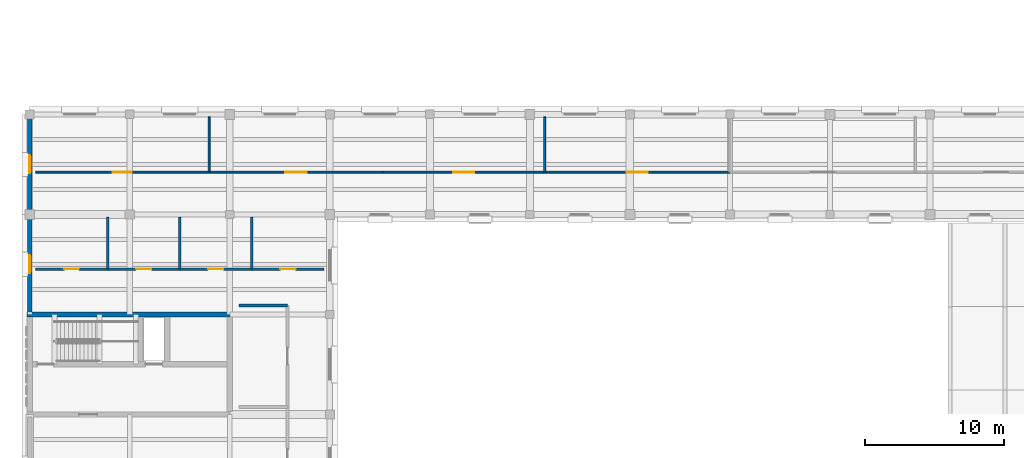
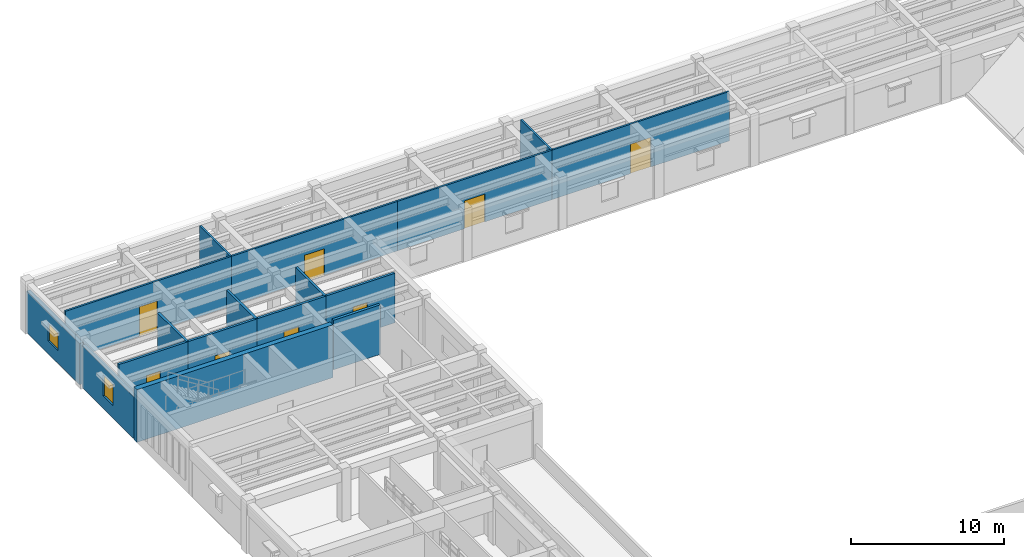
# One storey, part 22 of 40: 17 walls, 8 doors, 2 windows, 10 openings.
"""IFC4 building model written with IfcOpenShell, lengths in metres."""

import ifcopenshell
import ifcopenshell.guid

model = None  # the IFC model being written
_history = None  # IfcOwnerHistory: only IFC2X3 demands one
_inside = {}  # id of a spatial element -> (the spatial element, [elements in it])
_under = {}  # id of a project, library or spatial element -> (it, [spatial elements below it])
_declared = {}  # id of a project -> (the project, [libraries it declares])
_typed = {}  # id of a type object -> (the type object, [elements of that type])
_made_of = {}  # id of a material, layer set ... -> (it, [elements and type objects made of it])


def new_model(schema):
    """Start an empty IFC model of exactly this schema.

    Asked for "IFC4X3", IfcOpenShell would pick the latest addendum, in which some entities
    have other attributes; the version numbers below select the first issue.
    IFC2X3 requires an IfcOwnerHistory on every rooted entity: one is made here for all.
    """
    global model, _history
    if schema == "IFC4X3":
        model = ifcopenshell.file(schema_version=(4, 3, 0, 0))
    else:
        model = ifcopenshell.file(schema=schema)
    _inside.clear()
    _under.clear()
    _declared.clear()
    _typed.clear()
    _made_of.clear()
    _history = None
    if model.schema == "IFC2X3":
        org = make("IfcOrganization", Name="unknown")
        user = make(
            "IfcPersonAndOrganization",
            ThePerson=make("IfcPerson", FamilyName="unknown"),
            TheOrganization=org,
        )
        app = make(
            "IfcApplication",
            ApplicationDeveloper=org,
            Version="unknown",
            ApplicationFullName="unknown",
            ApplicationIdentifier="unknown",
        )
        _history = make(
            "IfcOwnerHistory",
            OwningUser=user,
            OwningApplication=app,
            ChangeAction="ADDED",
            CreationDate=0,
        )
    return model


def make(cls, **values):
    """One entity of the class cls with the attributes given. An attribute that is None is left unset."""
    return model.create_entity(
        cls, **{name: value for name, value in values.items() if value is not None}
    )


def rooted(cls, **values):
    """An entity with a GlobalId (a new one), such as an element, a storey or a relation."""
    return make(cls, GlobalId=ifcopenshell.guid.new(), OwnerHistory=_history, **values)


def si_unit(unit_type, name, prefix=None):
    """IfcSIUnit, for example si_unit("LENGTHUNIT", "METRE", prefix="MILLI")."""
    return make("IfcSIUnit", UnitType=unit_type, Prefix=prefix, Name=name)


def assignment(units):
    """IfcUnitAssignment: the units of a project."""
    return None if units is None else make("IfcUnitAssignment", Units=units)


def point(xyz):
    """IfcCartesianPoint."""
    return None if xyz is None else make("IfcCartesianPoint", Coordinates=xyz)


def direction(xyz):
    """IfcDirection."""
    return None if xyz is None else make("IfcDirection", DirectionRatios=xyz)


def frame(location, z_axis=None, x_axis=None):
    """IfcAxis2Placement3D, a coordinate frame: its origin and axes. An axis left out is left unset."""
    return make(
        "IfcAxis2Placement3D",
        Location=point(location),
        Axis=direction(z_axis),
        RefDirection=direction(x_axis),
    )


def frame_2d(location, x_axis=None):
    """IfcAxis2Placement2D, a coordinate frame in the plane: its origin and x axis."""
    return make(
        "IfcAxis2Placement2D", Location=point(location), RefDirection=direction(x_axis)
    )


def origin():
    """The frame at (0, 0, 0) with its axes left unset."""
    return frame((0.0, 0.0, 0.0))


def place(relative_to, where):
    """IfcLocalPlacement: puts the frame where relative to a parent placement (None: the world)."""
    return make(
        "IfcLocalPlacement", PlacementRelTo=relative_to, RelativePlacement=where
    )


def context(
    kind, dimensions, precision=None, world=None, true_north=None, identifier=None
):
    """IfcGeometricRepresentationContext, for example the 3D "Model" context."""
    return make(
        "IfcGeometricRepresentationContext",
        ContextIdentifier=identifier,
        ContextType=kind,
        CoordinateSpaceDimension=dimensions,
        Precision=precision,
        WorldCoordinateSystem=world,
        TrueNorth=true_north,
    )


def subcontext(parent, identifier, kind, view, scale=None):
    """IfcGeometricRepresentationSubContext, for example "Body" below "Model"."""
    return make(
        "IfcGeometricRepresentationSubContext",
        ContextIdentifier=identifier,
        ContextType=kind,
        ParentContext=parent,
        TargetScale=scale,
        TargetView=view,
    )


def project(units=None, contexts=None):
    """IfcProject with its units and contexts."""
    return rooted(
        "IfcProject",
        Name="project",
        RepresentationContexts=contexts,
        UnitsInContext=assignment(units),
    )


def spatial(cls, under=None, at=None, **own):
    """A site, building, storey or space (cls), placed at a placement, below another one or the project."""
    s = rooted(cls, ObjectPlacement=at, **own)
    if under is not None:
        _under.setdefault(under.id(), (under, []))[1].append(s)
    return s


def profile(cls, at=None, kind="AREA", **sizes):
    """A parametric profile (cls). Its sizes go by their IFC names, for example OverallWidth=200.0."""
    return make(cls, ProfileType=kind, Position=at, **sizes)


def rectangle(**sizes):
    """IfcRectangleProfileDef."""
    return profile("IfcRectangleProfileDef", **sizes)


def extrude(swept, where, along, depth):
    """IfcExtrudedAreaSolid: the profile swept, set in the frame where, extruded along a direction by depth."""
    return make(
        "IfcExtrudedAreaSolid",
        SweptArea=swept,
        Position=where,
        ExtrudedDirection=direction(along),
        Depth=depth,
    )


def shape(context_of_items, identifier, shape_type, items):
    """IfcShapeRepresentation: the items that make up one representation, for example the "Body"."""
    return make(
        "IfcShapeRepresentation",
        ContextOfItems=context_of_items,
        RepresentationIdentifier=identifier,
        RepresentationType=shape_type,
        Items=items,
    )


def material(Name=None, Category=None):
    """IfcMaterial."""
    return make("IfcMaterial", Name=Name, Category=Category)


def layer(
    of_material, thickness, ventilated=None, Name=None, Category=None, Priority=None
):
    """IfcMaterialLayer: one layer of a wall or slab, of a material (None: an air gap)."""
    return make(
        "IfcMaterialLayer",
        Material=of_material,
        LayerThickness=thickness,
        IsVentilated=ventilated,
        Name=Name,
        Category=Category,
        Priority=Priority,
    )


def layer_set(layers, Name=None):
    """IfcMaterialLayerSet."""
    return make("IfcMaterialLayerSet", MaterialLayers=layers, LayerSetName=Name)


def made_of(thing, what):
    """Note that an element or type object is made of a material, layer set ...; save() writes the relation."""
    if what is not None:
        _made_of.setdefault(what.id(), (what, []))[1].append(thing)
    return thing


def type_object(cls, material=None, **own):
    """A type object (cls), such as IfcWallType, which elements share."""
    return made_of(rooted(cls, **own), material)


def element(
    cls,
    number,
    at=None,
    inside=None,
    cuts=None,
    type_object=None,
    material=None,
    context=None,
    identifier="Body",
    shape_type=None,
    held_by="IfcProductDefinitionShape",
    body=None,
    shapes=None,
    **own,
):
    """One element of the class cls, such as IfcWall. Its Tag is "e" and its number.

    at: its placement. inside: the storey or other place that contains it. cuts: it is an
    opening in that element (IfcRelVoidsElement). A single representation is given by context,
    identifier, shape_type and body (its items); several are given by shapes. held_by: the class
    of the entity that holds the representations. save() writes the other relations.
    """
    e = rooted(cls, Tag="e%d" % number, ObjectPlacement=at, **own)
    if body is not None:
        shapes = [shape(context, identifier, shape_type, body)]
    if shapes is not None:
        e.Representation = make(held_by, Representations=shapes)
    if inside is not None:
        _inside.setdefault(inside.id(), (inside, []))[1].append(e)
    if cuts is not None:
        rooted(
            "IfcRelVoidsElement", RelatingBuildingElement=cuts, RelatedOpeningElement=e
        )
    if type_object is not None:
        _typed.setdefault(type_object.id(), (type_object, []))[1].append(e)
    return made_of(e, material)


def fill(opening, filler):
    """IfcRelFillsElement: the door or window that sits in an opening."""
    return rooted(
        "IfcRelFillsElement",
        RelatingOpeningElement=opening,
        RelatedBuildingElement=filler,
    )


def aggregate(whole, parts):
    """IfcRelAggregates: a whole, such as a stair, and the parts it consists of."""
    return rooted("IfcRelAggregates", RelatingObject=whole, RelatedObjects=parts)


def save(model, path):
    """Write the relations noted so far, then the file.

    IfcRelAggregates (storeys below a building ...), IfcRelContainedInSpatialStructure (elements
    in a storey), IfcRelDefinesByType, IfcRelAssociatesMaterial and IfcRelDeclares: one each for
    every whole, place, type object, material and project.
    """
    for whole, parts in _under.values():
        aggregate(whole, parts)
    for where, things in _inside.values():
        rooted(
            "IfcRelContainedInSpatialStructure",
            RelatedElements=things,
            RelatingStructure=where,
        )
    for kind, things in _typed.values():
        rooted("IfcRelDefinesByType", RelatedObjects=things, RelatingType=kind)
    for what, things in _made_of.values():
        rooted("IfcRelAssociatesMaterial", RelatedObjects=things, RelatingMaterial=what)
    for by, libraries in _declared.values():
        rooted("IfcRelDeclares", RelatingContext=by, RelatedDefinitions=libraries)
    model.write(path)


model = new_model("IFC4")

# Units and contexts
model_context = context("Model", 3, precision=1e-05, world=origin(), true_north=direction((0.0, 1.0)))
body_context = subcontext(model_context, "Body", "Model", "MODEL_VIEW")
ifc_project = project(units=[si_unit("LENGTHUNIT", "METRE"), si_unit("AREAUNIT", "SQUARE_METRE"), si_unit("VOLUMEUNIT", "CUBIC_METRE"), si_unit("PLANEANGLEUNIT", "RADIAN"), si_unit("MASSUNIT", "GRAM", prefix="KILO")], contexts=[model_context])

# Site, building, storey
site_placement = place(None, origin())
site = spatial("IfcSite", under=ifc_project, at=site_placement, CompositionType="ELEMENT")
building_placement = place(site_placement, origin())
building = spatial("IfcBuilding", under=site, at=building_placement, Name="Mithqara Police Headquarters", CompositionType="ELEMENT")
storey_placement = place(building_placement, frame((0.0, 0.0, 13.800048828125)))
storey = spatial("IfcBuildingStorey", under=building, at=storey_placement, Name="L03", CompositionType="ELEMENT", Elevation=13.800048828125)

# Wall, opening, window
ifc_material_1 = material(Name="Ochre masonry cavity wall, 35 MPa", Category="masonry")
ifc_layer_1 = layer(ifc_material_1, 0.300048828125, Name="Ochre masonry cavity wall, 35 MPa")
ifc_layer_set_1 = layer_set([ifc_layer_1], Name="Ochre masonry cavity wall, 35 MPa")
wall_type_1 = type_object("IfcWallType", Name="EXT WALL OCHRE BRICK300", PredefinedType="SOLIDWALL", material=ifc_layer_set_1)
wall_1_placement = place(storey_placement, frame((7.800048828125, 85.64990234375, 0.0), z_axis=(0.0, 0.0, 1.0), x_axis=(0.0, -1.0, 0.0)))
wall_1 = element("IfcWall", 1, at=wall_1_placement, inside=storey, type_object=wall_type_1, Name="L03 Exterior Wall 16.1", PredefinedType="SOLIDWALL", context=body_context, shape_type="SweptSolid", body=[
    extrude(rectangle(XDim=6.89990234375, YDim=0.300048828125, at=frame_2d((3.449951171875, 0.0))), origin(), (0.0, 0.0, 1.0), 3.2900390625),
])
opening_1_placement = place(wall_1_placement, frame((2.800048828125, 0.0, 1.0)))
opening_1 = element("IfcOpeningElement", 2, at=opening_1_placement, cuts=wall_1, Name="Opening W-16", PredefinedType="OPENING", context=body_context, shape_type="SweptSolid", body=[
    extrude(rectangle(XDim=1.300048828125, YDim=1.39990234375, at=frame_2d((0.64990234375, 0.699951171875))), frame((0.0, 0.16015625, 0.0), z_axis=(0.0, -1.0, 0.0), x_axis=(1.0, 0.0, 0.0)), (0.0, 0.0, 1.0), 0.320068359375),
])
ifc_material_2 = material(Name="Spectrally selective double low-e glass", Category="glass")
window_type_1 = type_object("IfcWindowType", Name="WINDOW 1300X1400", PartitioningType="SINGLE_PANEL", PredefinedType="WINDOW", material=ifc_material_2)
window_1_placement = place(opening_1_placement, origin())
window_1 = element("IfcWindow", 3, at=window_1_placement, inside=storey, type_object=window_type_1, Name="L03 Deep-Set Punched Window 16.1", OverallHeight=1.39990234375, OverallWidth=1.300048828125, PartitioningType="SINGLE_PANEL", PredefinedType="WINDOW", context=body_context, shape_type="SweptSolid", body=[
    extrude(rectangle(XDim=1.300048828125, YDim=1.39990234375, at=frame_2d((0.64990234375, 0.699951171875))), frame((0.0, 0.030029296875, 0.0), z_axis=(0.0, -1.0, 0.0), x_axis=(1.0, 0.0, 0.0)), (0.0, 0.0, 1.0), 0.06005859375),
])
fill(opening_1, window_1)

wall_2_placement = place(storey_placement, frame((7.800048828125, 78.449951171875, 0.0), z_axis=(0.0, 0.0, 1.0), x_axis=(0.0, -1.0, 0.0)))
wall_2 = element("IfcWall", 4, at=wall_2_placement, inside=storey, type_object=wall_type_1, Name="L03 Exterior Wall 17.1", PredefinedType="SOLIDWALL", context=body_context, shape_type="SweptSolid", body=[
    extrude(rectangle(XDim=6.85986328125, YDim=0.300048828125, at=frame_2d((3.429931640625, 0.0))), origin(), (0.0, 0.0, 1.0), 3.33984375),
])
opening_2_placement = place(wall_2_placement, frame((2.780029296875, 0.0, 1.0)))
opening_2 = element("IfcOpeningElement", 5, at=opening_2_placement, cuts=wall_2, Name="Opening W-17", PredefinedType="OPENING", context=body_context, shape_type="SweptSolid", body=[
    extrude(rectangle(XDim=1.300048828125, YDim=1.64990234375, at=frame_2d((0.64990234375, 0.824951171875))), frame((0.0, 0.16015625, 0.0), z_axis=(0.0, -1.0, 0.0), x_axis=(1.0, 0.0, 0.0)), (0.0, 0.0, 1.0), 0.320068359375),
])
window_type_2 = type_object("IfcWindowType", Name="WINDOW 1300X1650", PartitioningType="SINGLE_PANEL", PredefinedType="WINDOW", material=ifc_material_2)
window_2_placement = place(opening_2_placement, origin())
window_2 = element("IfcWindow", 6, at=window_2_placement, inside=storey, type_object=window_type_2, Name="L03 Deep-Set Punched Window 17.1", OverallHeight=1.64990234375, OverallWidth=1.300048828125, PartitioningType="SINGLE_PANEL", PredefinedType="WINDOW", context=body_context, shape_type="SweptSolid", body=[
    extrude(rectangle(XDim=1.300048828125, YDim=1.64990234375, at=frame_2d((0.64990234375, 0.824951171875))), frame((0.0, 0.030029296875, 0.0), z_axis=(0.0, -1.0, 0.0), x_axis=(1.0, 0.0, 0.0)), (0.0, 0.0, 1.0), 0.06005859375),
])
fill(opening_2, window_2)

# Wall, opening, door
ifc_material_3 = material(Name="Gypsum acoustic stud partition", Category="gypsum")
ifc_layer_2 = layer(ifc_material_3, 0.139892578125, Name="Gypsum acoustic stud partition")
ifc_layer_set_2 = layer_set([ifc_layer_2], Name="Gypsum acoustic stud partition")
wall_type_2 = type_object("IfcWallType", Name="PART WALL 140", PredefinedType="PARTITIONING", material=ifc_layer_set_2)
wall_3_placement = place(storey_placement, frame((8.219970703125, 81.639892578125, 0.0), z_axis=(0.0, 0.0, 1.0), x_axis=(1.0, 0.0, 0.0)))
wall_3 = element("IfcWall", 7, at=wall_3_placement, inside=storey, type_object=wall_type_2, Name="L03 Corridor Wall Tactical Classroom", PredefinedType="PARTITIONING", context=body_context, shape_type="SweptSolid", body=[
    extrude(rectangle(XDim=12.4951171875, YDim=0.139892578125, at=frame_2d((6.24755859375, 0.0))), origin(), (0.0, 0.0, 1.0), 3.93994140625),
])
opening_3_placement = place(wall_3_placement, frame((5.5673828125, 0.0, 0.0)))
opening_3 = element("IfcOpeningElement", 8, at=opening_3_placement, cuts=wall_3, Name="Opening D-18", PredefinedType="OPENING", context=body_context, shape_type="SweptSolid", body=[
    extrude(rectangle(XDim=1.360107421875, YDim=2.35009765625, at=frame_2d((0.68017578125, 1.175048828125))), frame((0.0, 0.080078125, 0.0), z_axis=(0.0, -1.0, 0.0), x_axis=(1.0, 0.0, 0.0)), (0.0, 0.0, 1.0), 0.159912109375),
])
ifc_material_4 = material(Name="Bronze anodised aluminium 6063-T6", Category="aluminium")
door_type_1 = type_object("IfcDoorType", Name="INT DOOR 1360X2350", OperationType="NOTDEFINED", PredefinedType="DOOR", material=ifc_material_4)
door_1_placement = place(opening_3_placement, origin())
door_1 = element("IfcDoor", 9, at=door_1_placement, inside=storey, type_object=door_type_1, Name="Tactical Classroom Entry Door", OperationType="SINGLE_SWING_LEFT", OverallHeight=2.35009765625, OverallWidth=1.360107421875, PredefinedType="DOOR", context=body_context, shape_type="SweptSolid", body=[
    extrude(rectangle(XDim=1.360107421875, YDim=2.35009765625, at=frame_2d((0.68017578125, 1.175048828125))), frame((0.0, 0.02490234375, 0.0), z_axis=(0.0, -1.0, 0.0), x_axis=(1.0, 0.0, 0.0)), (0.0, 0.0, 1.0), 0.050048828125),
])
fill(opening_3, door_1)

# Wall
wall_4_placement = place(storey_placement, frame((20.715087890625, 81.639892578125, 0.0), z_axis=(0.0, 0.0, 1.0), x_axis=(0.0, 1.0, 0.0)))
element("IfcWall", 10, at=wall_4_placement, inside=storey, type_object=wall_type_2, Name="L03 Room Partition Tactical Classroom", PredefinedType="PARTITIONING", context=body_context, shape_type="SweptSolid", body=[
    extrude(rectangle(XDim=3.980224609375, YDim=0.139892578125, at=frame_2d((1.990234375, 0.0))), origin(), (0.0, 0.0, 1.0), 3.93994140625),
])

# Wall, opening, door
wall_5_placement = place(storey_placement, frame((20.715087890625, 81.639892578125, 0.0), z_axis=(0.0, 0.0, 1.0), x_axis=(1.0, 0.0, 0.0)))
wall_5 = element("IfcWall", 11, at=wall_5_placement, inside=storey, type_object=wall_type_2, Name="L03 Corridor Wall Instructor Preparation Room", PredefinedType="PARTITIONING", context=body_context, shape_type="SweptSolid", body=[
    extrude(rectangle(XDim=12.494873046875, YDim=0.139892578125, at=frame_2d((6.24755859375, 0.0))), origin(), (0.0, 0.0, 1.0), 3.93994140625),
])
opening_4_placement = place(wall_5_placement, frame((5.487548828125, 0.0, 0.0)))
opening_4 = element("IfcOpeningElement", 12, at=opening_4_placement, cuts=wall_5, Name="Opening D-19", PredefinedType="OPENING", context=body_context, shape_type="SweptSolid", body=[
    extrude(rectangle(XDim=1.52001953125, YDim=2.10009765625, at=frame_2d((0.760009765625, 1.050048828125))), frame((0.0, 0.080078125, 0.0), z_axis=(0.0, -1.0, 0.0), x_axis=(1.0, 0.0, 0.0)), (0.0, 0.0, 1.0), 0.159912109375),
])
door_type_2 = type_object("IfcDoorType", Name="INT DOOR 1520X2100", OperationType="NOTDEFINED", PredefinedType="DOOR", material=ifc_material_4)
door_2_placement = place(opening_4_placement, origin())
door_2 = element("IfcDoor", 13, at=door_2_placement, inside=storey, type_object=door_type_2, Name="Instructor Preparation Room Entry Door", OperationType="DOUBLE_DOOR_SINGLE_SWING", OverallHeight=2.10009765625, OverallWidth=1.52001953125, PredefinedType="DOOR", context=body_context, shape_type="SweptSolid", body=[
    extrude(rectangle(XDim=1.52001953125, YDim=2.10009765625, at=frame_2d((0.760009765625, 1.050048828125))), frame((0.0, 0.02490234375, 0.0), z_axis=(0.0, -1.0, 0.0), x_axis=(1.0, 0.0, 0.0)), (0.0, 0.0, 1.0), 0.050048828125),
])
fill(opening_4, door_2)

wall_6_placement = place(storey_placement, frame((33.2099609375, 81.639892578125, 0.0), z_axis=(0.0, 0.0, 1.0), x_axis=(1.0, 0.0, 0.0)))
wall_6 = element("IfcWall", 14, at=wall_6_placement, inside=storey, type_object=wall_type_2, Name="L03 Corridor Wall Training Library", PredefinedType="PARTITIONING", context=body_context, shape_type="SweptSolid", body=[
    extrude(rectangle(XDim=11.64501953125, YDim=0.139892578125, at=frame_2d((5.822509765625, 0.0))), origin(), (0.0, 0.0, 1.0), 3.93994140625),
])
opening_5_placement = place(wall_6_placement, frame((5.0625, 0.0, 0.0)))
opening_5 = element("IfcOpeningElement", 15, at=opening_5_placement, cuts=wall_6, Name="Opening D-20", PredefinedType="OPENING", context=body_context, shape_type="SweptSolid", body=[
    extrude(rectangle(XDim=1.52001953125, YDim=2.219970703125, at=frame_2d((0.760009765625, 1.10986328125))), frame((0.0, 0.080078125, 0.0), z_axis=(0.0, -1.0, 0.0), x_axis=(1.0, 0.0, 0.0)), (0.0, 0.0, 1.0), 0.159912109375),
])
door_type_3 = type_object("IfcDoorType", Name="INT DOOR 1520X2220", OperationType="NOTDEFINED", PredefinedType="DOOR", material=ifc_material_4)
door_3_placement = place(opening_5_placement, origin())
door_3 = element("IfcDoor", 16, at=door_3_placement, inside=storey, type_object=door_type_3, Name="Training Library Entry Door", OperationType="DOUBLE_DOOR_SINGLE_SWING", OverallHeight=2.219970703125, OverallWidth=1.52001953125, PredefinedType="DOOR", context=body_context, shape_type="SweptSolid", body=[
    extrude(rectangle(XDim=1.52001953125, YDim=2.219970703125, at=frame_2d((0.760009765625, 1.10986328125))), frame((0.0, 0.02490234375, 0.0), z_axis=(0.0, -1.0, 0.0), x_axis=(1.0, 0.0, 0.0)), (0.0, 0.0, 1.0), 0.050048828125),
])
fill(opening_5, door_3)

# Wall
wall_7_placement = place(storey_placement, frame((44.85498046875, 81.639892578125, 0.0), z_axis=(0.0, 0.0, 1.0), x_axis=(0.0, 1.0, 0.0)))
element("IfcWall", 17, at=wall_7_placement, inside=storey, type_object=wall_type_2, Name="L03 Room Partition Training Library", PredefinedType="PARTITIONING", context=body_context, shape_type="SweptSolid", body=[
    extrude(rectangle(XDim=3.980224609375, YDim=0.139892578125, at=frame_2d((1.990234375, 0.0))), origin(), (0.0, 0.0, 1.0), 3.93994140625),
])

# Wall, opening, door
wall_8_placement = place(storey_placement, frame((44.85498046875, 81.639892578125, 0.0), z_axis=(0.0, 0.0, 1.0), x_axis=(1.0, 0.0, 0.0)))
wall_8 = element("IfcWall", 18, at=wall_8_placement, inside=storey, type_object=wall_type_2, Name="L03 Corridor Wall Tactical Classroom", PredefinedType="PARTITIONING", context=body_context, shape_type="SweptSolid", body=[
    extrude(rectangle(XDim=13.344970703125, YDim=0.139892578125, at=frame_2d((6.67236328125, 0.0))), origin(), (0.0, 0.0, 1.0), 3.93994140625),
])
opening_6_placement = place(wall_8_placement, frame((5.91259765625, 0.0, 0.0)))
opening_6 = element("IfcOpeningElement", 19, at=opening_6_placement, cuts=wall_8, Name="Opening D-21", PredefinedType="OPENING", context=body_context, shape_type="SweptSolid", body=[
    extrude(rectangle(XDim=1.52001953125, YDim=2.35009765625, at=frame_2d((0.760009765625, 1.175048828125))), frame((0.0, 0.080078125, 0.0), z_axis=(0.0, -1.0, 0.0), x_axis=(1.0, 0.0, 0.0)), (0.0, 0.0, 1.0), 0.159912109375),
])
door_type_4 = type_object("IfcDoorType", Name="INT DOOR 1520X2350", OperationType="NOTDEFINED", PredefinedType="DOOR", material=ifc_material_4)
door_4_placement = place(opening_6_placement, origin())
door_4 = element("IfcDoor", 20, at=door_4_placement, inside=storey, type_object=door_type_4, Name="Tactical Classroom Entry Door", OperationType="DOUBLE_DOOR_SINGLE_SWING", OverallHeight=2.35009765625, OverallWidth=1.52001953125, PredefinedType="DOOR", context=body_context, shape_type="SweptSolid", body=[
    extrude(rectangle(XDim=1.52001953125, YDim=2.35009765625, at=frame_2d((0.760009765625, 1.175048828125))), frame((0.0, 0.02490234375, 0.0), z_axis=(0.0, -1.0, 0.0), x_axis=(1.0, 0.0, 0.0)), (0.0, 0.0, 1.0), 0.050048828125),
])
fill(opening_6, door_4)

ifc_material_5 = material(Name="Concrete C40/50", Category="concrete")
ifc_layer_3 = layer(ifc_material_5, 0.179931640625, Name="Concrete C40/50")
ifc_layer_set_3 = layer_set([ifc_layer_3], Name="Concrete C40/50")
wall_type_3 = type_object("IfcWallType", Name="PART WALL 180", PredefinedType="PARTITIONING", material=ifc_layer_set_3)
wall_9_placement = place(storey_placement, frame((8.219970703125, 74.669921875, 0.0), z_axis=(0.0, 0.0, 1.0), x_axis=(1.0, 0.0, 0.0)))
wall_9 = element("IfcWall", 21, at=wall_9_placement, inside=storey, type_object=wall_type_3, Name="L03 Corridor Wall Simulation Training Room", PredefinedType="PARTITIONING", context=body_context, shape_type="SweptSolid", body=[
    extrude(rectangle(XDim=5.18994140625, YDim=0.179931640625, at=frame_2d((2.594970703125, 0.0))), origin(), (0.0, 0.0, 1.0), 3.93994140625),
])
opening_7_placement = place(wall_9_placement, frame((2.074951171875, 0.0, 0.0)))
opening_7 = element("IfcOpeningElement", 22, at=opening_7_placement, cuts=wall_9, Name="Opening D-09", PredefinedType="OPENING", context=body_context, shape_type="SweptSolid", body=[
    extrude(rectangle(XDim=1.0400390625, YDim=2.35009765625, at=frame_2d((0.52001953125, 1.175048828125))), frame((0.0, 0.10009765625, 0.0), z_axis=(0.0, -1.0, 0.0), x_axis=(1.0, 0.0, 0.0)), (0.0, 0.0, 1.0), 0.199951171875),
])
ifc_material_6 = material(Name="Acoustic solid-core timber leaf", Category="wood")
door_type_5 = type_object("IfcDoorType", Name="INT DOOR 1040X2350", OperationType="NOTDEFINED", PredefinedType="DOOR", material=ifc_material_6)
door_5_placement = place(opening_7_placement, origin())
door_5 = element("IfcDoor", 23, at=door_5_placement, inside=storey, type_object=door_type_5, Name="Simulation Training Room Entry Door", OperationType="SINGLE_SWING_RIGHT", OverallHeight=2.35009765625, OverallWidth=1.0400390625, PredefinedType="DOOR", context=body_context, shape_type="SweptSolid", body=[
    extrude(rectangle(XDim=1.0400390625, YDim=2.35009765625, at=frame_2d((0.52001953125, 1.175048828125))), frame((0.0, 0.02490234375, 0.0), z_axis=(0.0, -1.0, 0.0), x_axis=(1.0, 0.0, 0.0)), (0.0, 0.0, 1.0), 0.050048828125),
])
fill(opening_7, door_5)

# Wall
wall_10_placement = place(storey_placement, frame((13.409912109375, 74.669921875, 0.0), z_axis=(0.0, 0.0, 1.0), x_axis=(0.0, 1.0, 0.0)))
element("IfcWall", 24, at=wall_10_placement, inside=storey, type_object=wall_type_3, Name="L03 Room Partition Simulation Training Room", PredefinedType="PARTITIONING", context=body_context, shape_type="SweptSolid", body=[
    extrude(rectangle(XDim=3.75, YDim=0.179931640625, at=frame_2d((1.875, 0.0))), origin(), (0.0, 0.0, 1.0), 3.93994140625),
])

# Wall, opening, door
wall_11_placement = place(storey_placement, frame((13.409912109375, 74.669921875, 0.0), z_axis=(0.0, 0.0, 1.0), x_axis=(1.0, 0.0, 0.0)))
wall_11 = element("IfcWall", 25, at=wall_11_placement, inside=storey, type_object=wall_type_3, Name="L03 Corridor Wall Law and Procedure Classroom", PredefinedType="PARTITIONING", context=body_context, shape_type="SweptSolid", body=[
    extrude(rectangle(XDim=5.190185546875, YDim=0.179931640625, at=frame_2d((2.59521484375, 0.0))), origin(), (0.0, 0.0, 1.0), 3.93994140625),
])
opening_8_placement = place(wall_11_placement, frame((2.044921875, 0.0, 0.0)))
opening_8 = element("IfcOpeningElement", 26, at=opening_8_placement, cuts=wall_11, Name="Opening D-10", PredefinedType="OPENING", context=body_context, shape_type="SweptSolid", body=[
    extrude(rectangle(XDim=1.10009765625, YDim=2.10009765625, at=frame_2d((0.550048828125, 1.050048828125))), frame((0.0, 0.10009765625, 0.0), z_axis=(0.0, -1.0, 0.0), x_axis=(1.0, 0.0, 0.0)), (0.0, 0.0, 1.0), 0.199951171875),
])
door_type_6 = type_object("IfcDoorType", Name="INT DOOR 1100X2100", OperationType="NOTDEFINED", PredefinedType="DOOR", material=ifc_material_6)
door_6_placement = place(opening_8_placement, origin())
door_6 = element("IfcDoor", 27, at=door_6_placement, inside=storey, type_object=door_type_6, Name="Law and Procedure Classroom Entry Door", OperationType="SINGLE_SWING_LEFT", OverallHeight=2.10009765625, OverallWidth=1.10009765625, PredefinedType="DOOR", context=body_context, shape_type="SweptSolid", body=[
    extrude(rectangle(XDim=1.10009765625, YDim=2.10009765625, at=frame_2d((0.550048828125, 1.050048828125))), frame((0.0, 0.02490234375, 0.0), z_axis=(0.0, -1.0, 0.0), x_axis=(1.0, 0.0, 0.0)), (0.0, 0.0, 1.0), 0.050048828125),
])
fill(opening_8, door_6)

# Wall
wall_12_placement = place(storey_placement, frame((18.60009765625, 74.669921875, 0.0), z_axis=(0.0, 0.0, 1.0), x_axis=(0.0, 1.0, 0.0)))
element("IfcWall", 28, at=wall_12_placement, inside=storey, type_object=wall_type_3, Name="L03 Room Partition Law and Procedure Classroom", PredefinedType="PARTITIONING", context=body_context, shape_type="SweptSolid", body=[
    extrude(rectangle(XDim=3.75, YDim=0.179931640625, at=frame_2d((1.875, 0.0))), origin(), (0.0, 0.0, 1.0), 3.93994140625),
])

# Wall, opening, door
wall_13_placement = place(storey_placement, frame((18.60009765625, 74.669921875, 0.0), z_axis=(0.0, 0.0, 1.0), x_axis=(1.0, 0.0, 0.0)))
wall_13 = element("IfcWall", 29, at=wall_13_placement, inside=storey, type_object=wall_type_3, Name="L03 Corridor Wall Male Locker and Shower", PredefinedType="PARTITIONING", context=body_context, shape_type="SweptSolid", body=[
    extrude(rectangle(XDim=5.18994140625, YDim=0.179931640625, at=frame_2d((2.594970703125, 0.0))), origin(), (0.0, 0.0, 1.0), 3.93994140625),
])
opening_9_placement = place(wall_13_placement, frame((2.044921875, 0.0, 0.0)))
opening_9 = element("IfcOpeningElement", 30, at=opening_9_placement, cuts=wall_13, Name="Opening D-11", PredefinedType="OPENING", context=body_context, shape_type="SweptSolid", body=[
    extrude(rectangle(XDim=1.10009765625, YDim=2.219970703125, at=frame_2d((0.550048828125, 1.10986328125))), frame((0.0, 0.10009765625, 0.0), z_axis=(0.0, -1.0, 0.0), x_axis=(1.0, 0.0, 0.0)), (0.0, 0.0, 1.0), 0.199951171875),
])
door_type_7 = type_object("IfcDoorType", Name="INT DOOR 1100X2220", OperationType="NOTDEFINED", PredefinedType="DOOR", material=ifc_material_6)
door_7_placement = place(opening_9_placement, origin())
door_7 = element("IfcDoor", 31, at=door_7_placement, inside=storey, type_object=door_type_7, Name="Male Locker and Shower Entry Door", OperationType="SINGLE_SWING_RIGHT", OverallHeight=2.219970703125, OverallWidth=1.10009765625, PredefinedType="DOOR", context=body_context, shape_type="SweptSolid", body=[
    extrude(rectangle(XDim=1.10009765625, YDim=2.219970703125, at=frame_2d((0.550048828125, 1.10986328125))), frame((0.0, 0.02490234375, 0.0), z_axis=(0.0, -1.0, 0.0), x_axis=(1.0, 0.0, 0.0)), (0.0, 0.0, 1.0), 0.050048828125),
])
fill(opening_9, door_7)

# Wall
wall_14_placement = place(storey_placement, frame((23.7900390625, 74.669921875, 0.0), z_axis=(0.0, 0.0, 1.0), x_axis=(0.0, 1.0, 0.0)))
element("IfcWall", 32, at=wall_14_placement, inside=storey, type_object=wall_type_3, Name="L03 Room Partition Male Locker and Shower", PredefinedType="PARTITIONING", context=body_context, shape_type="SweptSolid", body=[
    extrude(rectangle(XDim=3.75, YDim=0.179931640625, at=frame_2d((1.875, 0.0))), origin(), (0.0, 0.0, 1.0), 3.93994140625),
])

# Wall, opening, door
wall_15_placement = place(storey_placement, frame((23.7900390625, 74.669921875, 0.0), z_axis=(0.0, 0.0, 1.0), x_axis=(1.0, 0.0, 0.0)))
wall_15 = element("IfcWall", 33, at=wall_15_placement, inside=storey, type_object=wall_type_3, Name="L03 Corridor Wall Female Locker and Shower", PredefinedType="PARTITIONING", context=body_context, shape_type="SweptSolid", body=[
    extrude(rectangle(XDim=5.18994140625, YDim=0.179931640625, at=frame_2d((2.594970703125, 0.0))), origin(), (0.0, 0.0, 1.0), 3.93994140625),
])
opening_10_placement = place(wall_15_placement, frame((2.044921875, 0.0, 0.0)))
opening_10 = element("IfcOpeningElement", 34, at=opening_10_placement, cuts=wall_15, Name="Opening D-12", PredefinedType="OPENING", context=body_context, shape_type="SweptSolid", body=[
    extrude(rectangle(XDim=1.10009765625, YDim=2.35009765625, at=frame_2d((0.550048828125, 1.175048828125))), frame((0.0, 0.10009765625, 0.0), z_axis=(0.0, -1.0, 0.0), x_axis=(1.0, 0.0, 0.0)), (0.0, 0.0, 1.0), 0.199951171875),
])
door_type_8 = type_object("IfcDoorType", Name="INT DOOR 1100X2350", OperationType="NOTDEFINED", PredefinedType="DOOR", material=ifc_material_6)
door_8_placement = place(opening_10_placement, origin())
door_8 = element("IfcDoor", 35, at=door_8_placement, inside=storey, type_object=door_type_8, Name="Female Locker and Shower Entry Door", OperationType="SINGLE_SWING_LEFT", OverallHeight=2.35009765625, OverallWidth=1.10009765625, PredefinedType="DOOR", context=body_context, shape_type="SweptSolid", body=[
    extrude(rectangle(XDim=1.10009765625, YDim=2.35009765625, at=frame_2d((0.550048828125, 1.175048828125))), frame((0.0, 0.02490234375, 0.0), z_axis=(0.0, -1.0, 0.0), x_axis=(1.0, 0.0, 0.0)), (0.0, 0.0, 1.0), 0.050048828125),
])
fill(opening_10, door_8)

# Walls
ifc_layer_4 = layer(ifc_material_5, 0.2099609375, Name="Concrete C40/50")
ifc_layer_set_4 = layer_set([ifc_layer_4], Name="Concrete C40/50")
wall_type_4 = type_object("IfcWallType", Name="PART WALL 210", PredefinedType="PARTITIONING", material=ifc_layer_set_4)
wall_16_placement = place(storey_placement, frame((22.85009765625, 72.050048828125, 0.0), z_axis=(0.0, 0.0, 1.0), x_axis=(1.0, 0.0, 0.0)))
element("IfcWall", 36, at=wall_16_placement, inside=storey, type_object=wall_type_4, Name="L03 Partition End Closure E1", PredefinedType="PARTITIONING", context=body_context, shape_type="SweptSolid", body=[
    extrude(rectangle(XDim=3.510009765625, YDim=0.2099609375, at=frame_2d((1.7548828125, 0.0))), origin(), (0.0, 0.0, 1.0), 3.93994140625),
])
ifc_material_7 = material(Name="Concrete C50/60", Category="concrete")
ifc_layer_5 = layer(ifc_material_7, 0.3798828125, Name="Concrete C50/60")
ifc_layer_set_5 = layer_set([ifc_layer_5], Name="Concrete C50/60")
wall_type_5 = type_object("IfcWallType", Name="SHEAR WALL 380", PredefinedType="SHEAR", material=ifc_layer_set_5)
wall_17_placement = place(storey_placement, frame((7.610107421875, 71.39990234375, 0.0), z_axis=(0.0, 0.0, 1.0), x_axis=(1.0, 0.0, 0.0)))
element("IfcWall", 37, at=wall_17_placement, inside=storey, type_object=wall_type_5, Name="Core C3 Operations West Shear Wall N", PredefinedType="SHEAR", context=body_context, shape_type="SweptSolid", body=[
    extrude(rectangle(XDim=14.77978515625, YDim=0.3798828125, at=frame_2d((7.389892578125, 0.0))), origin(), (0.0, 0.0, 1.0), 4.199951171875),
])

save(model, "model.ifc")
